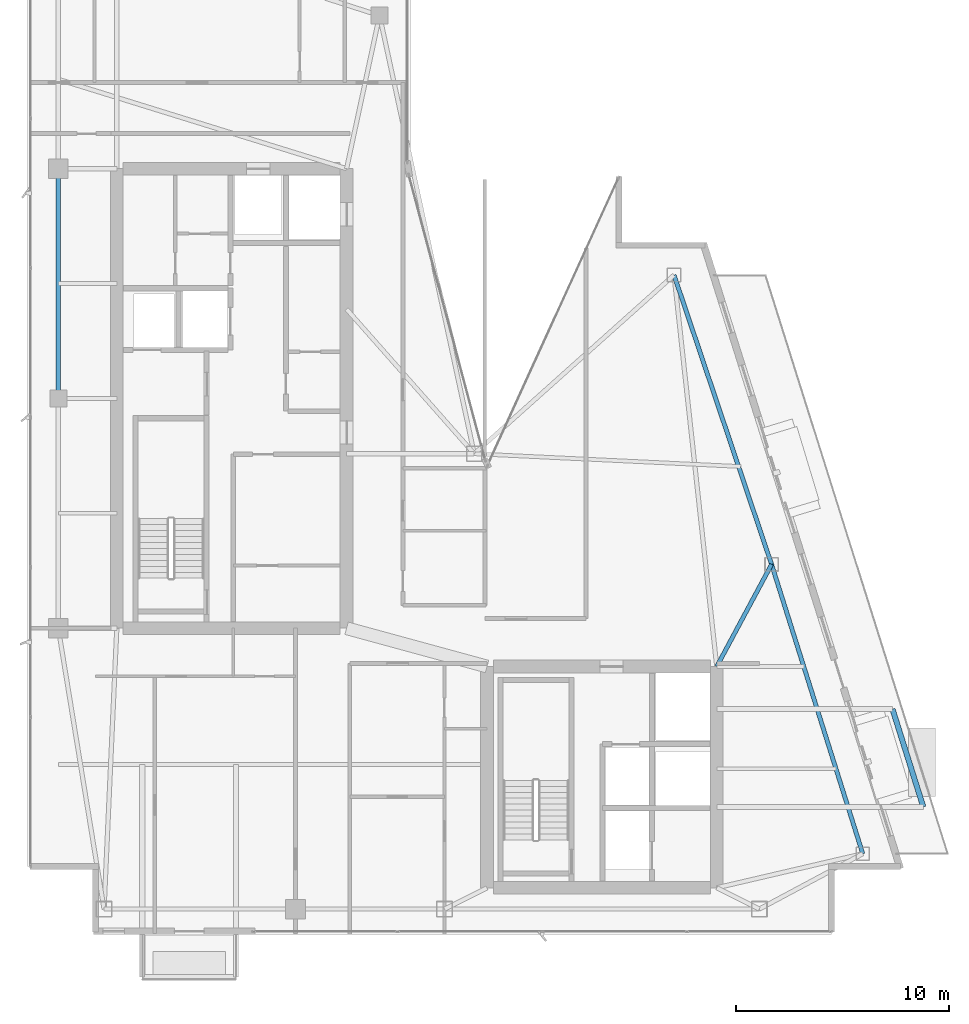
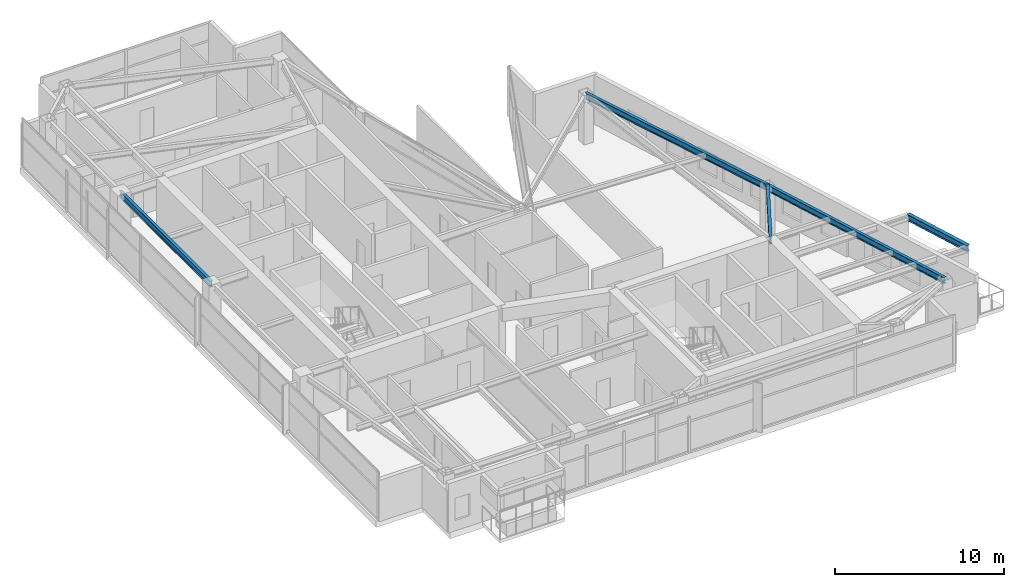
# One storey, part 15 of 27: 5 beams.
"""IFC4 building model written with IfcOpenShell, lengths in metres."""

from ifc_helpers import new_model, si_unit, direction, frame, origin, origin_2d, place, context, subcontext, project, spatial, i_section, extrude, material, material_profile, profile_set, type_object, element, save


model = new_model("IFC4")

# Units and contexts
model_context = context("Model", 3, precision=1e-05, world=origin(), true_north=direction((0.0, 1.0)))
body_context = subcontext(model_context, "Body", "Model", "MODEL_VIEW")
ifc_project = project(units=[si_unit("LENGTHUNIT", "METRE"), si_unit("AREAUNIT", "SQUARE_METRE"), si_unit("VOLUMEUNIT", "CUBIC_METRE"), si_unit("PLANEANGLEUNIT", "RADIAN"), si_unit("MASSUNIT", "GRAM", prefix="KILO")], contexts=[model_context])

# Site, building, storey
site_placement = place(None, origin())
site = spatial("IfcSite", under=ifc_project, at=site_placement, CompositionType="ELEMENT")
building_placement = place(site_placement, origin())
building = spatial("IfcBuilding", under=site, at=building_placement, Name="Calvorn Quay Hotel", CompositionType="ELEMENT")
storey_placement = place(building_placement, frame((0.0, 0.0, 287.300048828125)))
storey = spatial("IfcBuildingStorey", under=building, at=storey_placement, Name="L71", CompositionType="ELEMENT", Elevation=287.300048828125)

# Beams
ifc_material_1 = material(Name="Steel Q355B", Category="steel")
ifc_material_profile_1 = material_profile(ifc_material_1, i_section(OverallWidth=0.25, OverallDepth=0.449951171875, WebThickness=0.011962890625, FlangeThickness=0.01611328125, FilletRadius=0.01611328125, at=origin_2d()), Name="HN450x250x12x16")
ifc_profile_set_1 = profile_set([ifc_material_profile_1], Name="Steel Q355B")
beam_type_1 = type_object("IfcBeamType", Name="BM-CANT-BALC", PredefinedType="BEAM", material=ifc_profile_set_1)
beam_1_placement = place(storey_placement, frame((42.10791015625, 8.39990234375, 3.31494140625), z_axis=(-0.300620172346, 0.953743944662, 0.0), x_axis=(-0.953743944662, -0.300620172346, 0.0)))
element("IfcBeam", 1, at=beam_1_placement, inside=storey, type_object=beam_type_1, Name="Beam BCBO-L72-1", PredefinedType="BEAM", context=body_context, shape_type="SweptSolid", body=[
    extrude(i_section(OverallWidth=0.25, OverallDepth=0.449951171875, WebThickness=0.011962890625, FlangeThickness=0.01611328125, FilletRadius=0.01611328125, at=origin_2d()), origin(), (0.0, 0.0, 1.0), 4.8232421875),
])
ifc_material_2 = material(Name="Steel Q355B", Category="steel")
ifc_material_profile_2 = material_profile(ifc_material_2, i_section(OverallWidth=0.199951171875, OverallDepth=0.550048828125, WebThickness=0.010009765625, FlangeThickness=0.01611328125, FilletRadius=0.01806640625, at=origin_2d()), Name="HN550x200x10x16")
ifc_profile_set_2 = profile_set([ifc_material_profile_2], Name="Steel Q355B")
beam_type_2 = type_object("IfcBeamType", Name="BM-GIRD-UPP", PredefinedType="BEAM", material=ifc_profile_set_2)
beam_2_placement = place(storey_placement, frame((32.39990234375, 15.0, 3.264892578125), z_axis=(0.472894086188, 0.881119278672, 0.0), x_axis=(-0.881119278672, 0.472894086188, 0.0)))
element("IfcBeam", 2, at=beam_2_placement, inside=storey, type_object=beam_type_2, Name="Beam BG-L71-E2", PredefinedType="BEAM", context=body_context, shape_type="SweptSolid", body=[
    extrude(i_section(OverallWidth=0.199951171875, OverallDepth=0.550048828125, WebThickness=0.010009765625, FlangeThickness=0.01611328125, FilletRadius=0.01806640625, at=origin_2d()), origin(), (0.0, 0.0, 1.0), 5.44775390625),
])
ifc_material_3 = material(Name="Steel Q355B", Category="steel")
ifc_material_profile_3 = material_profile(ifc_material_3, i_section(OverallWidth=0.199951171875, OverallDepth=0.449951171875, WebThickness=0.009033203125, FlangeThickness=0.013916015625, FilletRadius=0.01611328125, at=origin_2d()), Name="HN450x200x9x14")
ifc_profile_set_3 = profile_set([ifc_material_profile_3], Name="Steel Q355B")
beam_type_3 = type_object("IfcBeamType", Name="BM-SPANDREL-Z3", PredefinedType="SPANDREL", material=ifc_profile_set_3)
beam_3_placement = place(storey_placement, frame((1.449951171875, 27.60009765625, 3.31494140625), z_axis=(0.0, 1.0, 0.0), x_axis=(-1.0, 0.0, 0.0)))
element("IfcBeam", 3, at=beam_3_placement, inside=storey, type_object=beam_type_3, Name="Beam BSP-L71-W3", PredefinedType="SPANDREL", context=body_context, shape_type="SweptSolid", body=[
    extrude(i_section(OverallWidth=0.199951171875, OverallDepth=0.449951171875, WebThickness=0.009033203125, FlangeThickness=0.013916015625, FilletRadius=0.01611328125, at=origin_2d()), origin(), (0.0, 0.0, 1.0), 10.7998046875),
])
beam_4_placement = place(storey_placement, frame((39.260986328125, 6.199951171875, 3.31494140625), z_axis=(-0.300502802767, 0.953780931624, 0.0), x_axis=(-0.953780931624, -0.300502802767, 0.0)))
element("IfcBeam", 4, at=beam_4_placement, inside=storey, type_object=beam_type_3, Name="Beam BSP-L71-E1", PredefinedType="SPANDREL", context=body_context, shape_type="SweptSolid", body=[
    extrude(i_section(OverallWidth=0.199951171875, OverallDepth=0.449951171875, WebThickness=0.009033203125, FlangeThickness=0.013916015625, FilletRadius=0.01611328125, at=origin_2d()), origin(), (0.0, 0.0, 1.0), 14.259033203125),
])
beam_5_placement = place(storey_placement, frame((34.97607421875, 19.800048828125, 3.31494140625), z_axis=(-0.319466515944, 0.947597564998, 0.0), x_axis=(-0.947597564998, -0.319466515944, 0.0)))
element("IfcBeam", 5, at=beam_5_placement, inside=storey, type_object=beam_type_3, Name="Beam BSP-L71-E2", PredefinedType="SPANDREL", context=body_context, shape_type="SweptSolid", body=[
    extrude(i_section(OverallWidth=0.199951171875, OverallDepth=0.449951171875, WebThickness=0.009033203125, FlangeThickness=0.013916015625, FilletRadius=0.01611328125, at=origin_2d()), origin(), (0.0, 0.0, 1.0), 14.35205078125),
])

save(model, "model.ifc")
